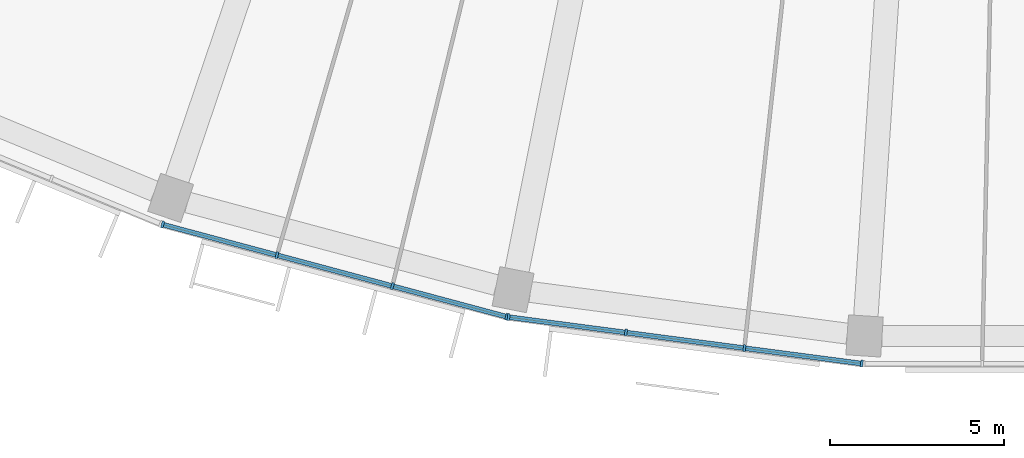
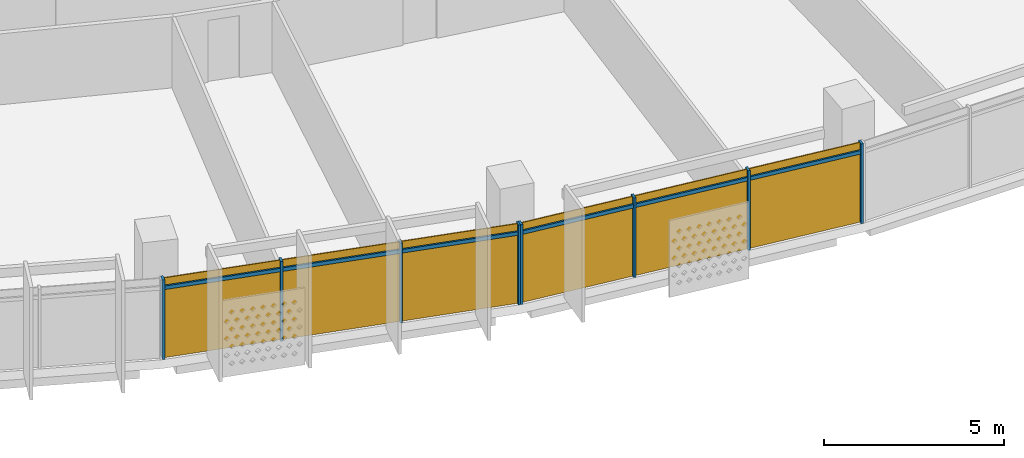
# One storey, part 18 of 27: 14 members, 2 curtain walls.
"""IFC4 building model written with IfcOpenShell, lengths in metres."""

from ifc_helpers import new_model, si_unit, direction, frame, origin, origin_2d, place, context, subcontext, project, spatial, rectangle, extrude, material, material_profile, profile_set, type_object, element, aggregate, save


model = new_model("IFC4")

# Units and contexts
model_context = context("Model", 3, precision=1e-05, world=origin(), true_north=direction((0.0, 1.0)))
body_context = subcontext(model_context, "Body", "Model", "MODEL_VIEW")
ifc_project = project(units=[si_unit("LENGTHUNIT", "METRE"), si_unit("AREAUNIT", "SQUARE_METRE"), si_unit("VOLUMEUNIT", "CUBIC_METRE"), si_unit("PLANEANGLEUNIT", "RADIAN"), si_unit("MASSUNIT", "GRAM", prefix="KILO")], contexts=[model_context])

# Member
ifc_material = material(Name="Aluminium 6063-T6 anodised", Category="aluminium")
ifc_material_profile_1 = material_profile(ifc_material, rectangle(XDim=0.199951171875, YDim=0.070068359375, at=origin_2d()))
ifc_profile_set_1 = profile_set([ifc_material_profile_1], Name="Aluminium 6063-T6 anodised")
member_type_1 = type_object("IfcMemberType", Name="Mullion 70 x 200 aluminium", PredefinedType="MULLION", material=ifc_profile_set_1)
site_placement = place(None, origin())
building_placement = place(site_placement, origin())
storey_placement = place(building_placement, frame((0.0, 0.0, 237.89990234375)))
member_1_placement = place(storey_placement, frame((-25.221435546875, -74.388427734375, 0.0), z_axis=(0.0, 0.0, 1.0), x_axis=(0.258819045103, 0.965925826289, 0.0)))
member_1 = element("IfcMember", 1, at=member_1_placement, type_object=member_type_1, Name="e-cw1-L57-out06/M00", PredefinedType="MULLION", context=body_context, shape_type="SweptSolid", body=[
    extrude(rectangle(XDim=0.199951171875, YDim=0.070068359375, at=origin_2d()), origin(), (0.0, 0.0, 1.0), 2.7001953125),
])

member_2_placement = place(storey_placement, frame((-21.94287109375, -75.26708984375, 0.0), z_axis=(0.0, 0.0, 1.0), x_axis=(0.258819045103, 0.965925826289, 0.0)))
member_2 = element("IfcMember", 2, at=member_2_placement, type_object=member_type_1, Name="e-cw1-L57-out06/M01", PredefinedType="MULLION", context=body_context, shape_type="SweptSolid", body=[
    extrude(rectangle(XDim=0.199951171875, YDim=0.070068359375, at=origin_2d()), origin(), (0.0, 0.0, 1.0), 2.7001953125),
])

member_3_placement = place(storey_placement, frame((-18.63037109375, -76.154541015625, 0.0), z_axis=(0.0, 0.0, 1.0), x_axis=(0.258819045103, 0.965925826289, 0.0)))
member_3 = element("IfcMember", 3, at=member_3_placement, type_object=member_type_1, Name="e-cw1-L57-out06/M02", PredefinedType="MULLION", context=body_context, shape_type="SweptSolid", body=[
    extrude(rectangle(XDim=0.199951171875, YDim=0.070068359375, at=origin_2d()), origin(), (0.0, 0.0, 1.0), 2.7001953125),
])

member_4_placement = place(storey_placement, frame((-15.351806640625, -77.033203125, 0.0), z_axis=(0.0, 0.0, 1.0), x_axis=(0.258819045103, 0.965925826289, 0.0)))
member_4 = element("IfcMember", 4, at=member_4_placement, type_object=member_type_1, Name="e-cw1-L57-out06/M03", PredefinedType="MULLION", context=body_context, shape_type="SweptSolid", body=[
    extrude(rectangle(XDim=0.199951171875, YDim=0.070068359375, at=origin_2d()), origin(), (0.0, 0.0, 1.0), 2.7001953125),
])

member_5_placement = place(storey_placement, frame((-15.296142578125, -77.044189453125, 0.0), z_axis=(0.0, 0.0, 1.0), x_axis=(0.13052619222, 0.991444861374, 0.0)))
member_5 = element("IfcMember", 5, at=member_5_placement, type_object=member_type_1, Name="e-cw1-L57-out07/M00", PredefinedType="MULLION", context=body_context, shape_type="SweptSolid", body=[
    extrude(rectangle(XDim=0.199951171875, YDim=0.070068359375, at=origin_2d()), origin(), (0.0, 0.0, 1.0), 2.7001953125),
])

member_6_placement = place(storey_placement, frame((-11.930908203125, -77.4873046875, 0.0), z_axis=(0.0, 0.0, 1.0), x_axis=(0.13052619222, 0.991444861374, 0.0)))
member_6 = element("IfcMember", 6, at=member_6_placement, type_object=member_type_1, Name="e-cw1-L57-out07/M01", PredefinedType="MULLION", context=body_context, shape_type="SweptSolid", body=[
    extrude(rectangle(XDim=0.199951171875, YDim=0.070068359375, at=origin_2d()), origin(), (0.0, 0.0, 1.0), 2.7001953125),
])

member_7_placement = place(storey_placement, frame((-8.53076171875, -77.934814453125, 0.0), z_axis=(0.0, 0.0, 1.0), x_axis=(0.13052619222, 0.991444861374, 0.0)))
member_7 = element("IfcMember", 7, at=member_7_placement, type_object=member_type_1, Name="e-cw1-L57-out07/M02", PredefinedType="MULLION", context=body_context, shape_type="SweptSolid", body=[
    extrude(rectangle(XDim=0.199951171875, YDim=0.070068359375, at=origin_2d()), origin(), (0.0, 0.0, 1.0), 2.7001953125),
])

member_8_placement = place(storey_placement, frame((-5.16552734375, -78.3779296875, 0.0), z_axis=(0.0, 0.0, 1.0), x_axis=(0.13052619222, 0.991444861374, 0.0)))
member_8 = element("IfcMember", 8, at=member_8_placement, type_object=member_type_1, Name="e-cw1-L57-out07/M03", PredefinedType="MULLION", context=body_context, shape_type="SweptSolid", body=[
    extrude(rectangle(XDim=0.199951171875, YDim=0.070068359375, at=origin_2d()), origin(), (0.0, 0.0, 1.0), 2.7001953125),
])

ifc_material_profile_2 = material_profile(ifc_material, rectangle(XDim=0.139892578125, YDim=0.1201171875, at=origin_2d()))
ifc_profile_set_2 = profile_set([ifc_material_profile_2], Name="Aluminium 6063-T6 anodised")
member_type_2 = type_object("IfcMemberType", Name="Transom 120 x 140 aluminium", PredefinedType="USERDEFINED", material=ifc_profile_set_2)
member_9_placement = place(storey_placement, frame((-25.187744140625, -74.3974609375, 2.400146484375), z_axis=(0.965908708139, -0.25888292246, 0.0), x_axis=(0.25888292246, 0.965908708139, 0.0)))
member_9 = element("IfcMember", 9, at=member_9_placement, type_object=member_type_2, Name="e-cw1-L57-out06/T00", ObjectType="TRANSOM", PredefinedType="USERDEFINED", context=body_context, shape_type="SweptSolid", body=[
    extrude(rectangle(XDim=0.139892578125, YDim=0.1201171875, at=origin_2d()), origin(), (0.0, 0.0, 1.0), 3.32421875),
])

member_10_placement = place(storey_placement, frame((-21.9091796875, -75.276123046875, 2.400146484375), z_axis=(0.965931507774, -0.258797840582, 0.0), x_axis=(0.258797840582, 0.965931507774, 0.0)))
member_10 = element("IfcMember", 10, at=member_10_placement, type_object=member_type_2, Name="e-cw1-L57-out06/T01", ObjectType="TRANSOM", PredefinedType="USERDEFINED", context=body_context, shape_type="SweptSolid", body=[
    extrude(rectangle(XDim=0.139892578125, YDim=0.1201171875, at=origin_2d()), origin(), (0.0, 0.0, 1.0), 3.359375),
])

member_11_placement = place(storey_placement, frame((-18.5966796875, -76.16357421875, 2.400146484375), z_axis=(0.965913629723, -0.258864559019, 0.0), x_axis=(0.258864559019, 0.965913629723, 0.0)))
member_11 = element("IfcMember", 11, at=member_11_placement, type_object=member_type_2, Name="e-cw1-L57-out06/T02", ObjectType="TRANSOM", PredefinedType="USERDEFINED", context=body_context, shape_type="SweptSolid", body=[
    extrude(rectangle(XDim=0.139892578125, YDim=0.1201171875, at=origin_2d()), origin(), (0.0, 0.0, 1.0), 3.324462890625),
])

member_12_placement = place(storey_placement, frame((-15.261474609375, -77.048828125, 2.400146484375), z_axis=(0.991447795146, -0.130503906072, 0.0), x_axis=(0.130503906072, 0.991447795146, 0.0)))
member_12 = element("IfcMember", 12, at=member_12_placement, type_object=member_type_2, Name="e-cw1-L57-out07/T00", ObjectType="TRANSOM", PredefinedType="USERDEFINED", context=body_context, shape_type="SweptSolid", body=[
    extrude(rectangle(XDim=0.139892578125, YDim=0.1201171875, at=origin_2d()), origin(), (0.0, 0.0, 1.0), 3.32421875),
])

member_13_placement = place(storey_placement, frame((-11.896240234375, -77.49169921875, 2.400146484375), z_axis=(0.991444893088, -0.130525951326, 0.0), x_axis=(0.130525951326, 0.991444893088, 0.0)))
member_13 = element("IfcMember", 13, at=member_13_placement, type_object=member_type_2, Name="e-cw1-L57-out07/T01", ObjectType="TRANSOM", PredefinedType="USERDEFINED", context=body_context, shape_type="SweptSolid", body=[
    extrude(rectangle(XDim=0.139892578125, YDim=0.1201171875, at=origin_2d()), origin(), (0.0, 0.0, 1.0), 3.359375),
])

member_14_placement = place(storey_placement, frame((-8.49609375, -77.939453125, 2.400146484375), z_axis=(0.991447795146, -0.130503906072, 0.0), x_axis=(0.130503906072, 0.991447795146, 0.0)))
member_14 = element("IfcMember", 14, at=member_14_placement, type_object=member_type_2, Name="e-cw1-L57-out07/T02", ObjectType="TRANSOM", PredefinedType="USERDEFINED", context=body_context, shape_type="SweptSolid", body=[
    extrude(rectangle(XDim=0.139892578125, YDim=0.1201171875, at=origin_2d()), origin(), (0.0, 0.0, 1.0), 3.32421875),
])

# Site, building, storey
site = spatial("IfcSite", under=ifc_project, at=site_placement, CompositionType="ELEMENT")
building = spatial("IfcBuilding", under=site, at=building_placement, Name="Qamariyya Broadcast Tower", CompositionType="ELEMENT")
storey = spatial("IfcBuildingStorey", under=building, at=storey_placement, Name="L57", CompositionType="ELEMENT", Elevation=237.89990234375)

# Curtain wall
curtain_wall_type = type_object("IfcCurtainWallType", Name="Unitised curtain wall, anodised aluminium", PredefinedType="NOTDEFINED", material=ifc_material)
curtain_wall_1_placement = place(storey_placement, origin())
curtain_wall_1 = element("IfcCurtainWall", 15, at=curtain_wall_1_placement, inside=storey, type_object=curtain_wall_type, Name="e-cw1-L57-out06", PredefinedType="NOTDEFINED", context=body_context, shape_type="SweptSolid", body=[
    extrude(rectangle(XDim=3.324462890625, YDim=0.031982421875, at=origin_2d()), frame((-23.582275390625, -74.82763671875, 0.0), x_axis=(0.965923476514, -0.258827814424, 0.0)), (0.0, 0.0, 1.0), 2.340087890625),
    extrude(rectangle(XDim=3.324462890625, YDim=0.031982421875, at=origin_2d()), frame((-23.582275390625, -74.82763671875, 2.460205078125), x_axis=(0.965923476514, -0.258827814424, 0.0)), (0.0, 0.0, 1.0), 0.239990234375),
    extrude(rectangle(XDim=3.359375, YDim=0.031982421875, at=origin_2d()), frame((-20.28662109375, -75.7109375, 0.0), x_axis=(0.965923476514, -0.258827814424, 0.0)), (0.0, 0.0, 1.0), 2.340087890625),
    extrude(rectangle(XDim=3.359375, YDim=0.031982421875, at=origin_2d()), frame((-20.28662109375, -75.7109375, 2.460205078125), x_axis=(0.965923476514, -0.258827814424, 0.0)), (0.0, 0.0, 1.0), 0.239990234375),
    extrude(rectangle(XDim=3.324462890625, YDim=0.031982421875, at=origin_2d()), frame((-16.990966796875, -76.593994140625, 0.0), x_axis=(0.965923476514, -0.258827814424, 0.0)), (0.0, 0.0, 1.0), 2.340087890625),
    extrude(rectangle(XDim=3.324462890625, YDim=0.031982421875, at=origin_2d()), frame((-16.990966796875, -76.593994140625, 2.460205078125), x_axis=(0.965923476514, -0.258827814424, 0.0)), (0.0, 0.0, 1.0), 0.239990234375),
])

aggregate(curtain_wall_1, [member_1, member_2, member_3, member_4, member_9, member_10, member_11])

curtain_wall_2_placement = place(storey_placement, origin())
curtain_wall_2 = element("IfcCurtainWall", 16, at=curtain_wall_2_placement, inside=storey, type_object=curtain_wall_type, Name="e-cw1-L57-out07", PredefinedType="NOTDEFINED", context=body_context, shape_type="SweptSolid", body=[
    extrude(rectangle(XDim=3.32421875, YDim=0.031982421875, at=origin_2d()), frame((-13.613525390625, -77.265625, 0.0), x_axis=(0.991442741341, -0.130542294457, 0.0)), (0.0, 0.0, 1.0), 2.340087890625),
    extrude(rectangle(XDim=3.32421875, YDim=0.031982421875, at=origin_2d()), frame((-13.613525390625, -77.265625, 2.460205078125), x_axis=(0.991442741341, -0.130542294457, 0.0)), (0.0, 0.0, 1.0), 0.239990234375),
    extrude(rectangle(XDim=3.359375, YDim=0.031982421875, at=origin_2d()), frame((-10.23095703125, -77.7109375, 0.0), x_axis=(0.991442741341, -0.130542294457, 0.0)), (0.0, 0.0, 1.0), 2.340087890625),
    extrude(rectangle(XDim=3.359375, YDim=0.031982421875, at=origin_2d()), frame((-10.23095703125, -77.7109375, 2.460205078125), x_axis=(0.991442741341, -0.130542294457, 0.0)), (0.0, 0.0, 1.0), 0.239990234375),
    extrude(rectangle(XDim=3.32421875, YDim=0.031982421875, at=origin_2d()), frame((-6.84814453125, -78.156494140625, 0.0), x_axis=(0.991442741341, -0.130542294457, 0.0)), (0.0, 0.0, 1.0), 2.340087890625),
    extrude(rectangle(XDim=3.32421875, YDim=0.031982421875, at=origin_2d()), frame((-6.84814453125, -78.156494140625, 2.460205078125), x_axis=(0.991442741341, -0.130542294457, 0.0)), (0.0, 0.0, 1.0), 0.239990234375),
])

aggregate(curtain_wall_2, [member_5, member_6, member_7, member_8, member_12, member_13, member_14])

save(model, "model.ifc")
